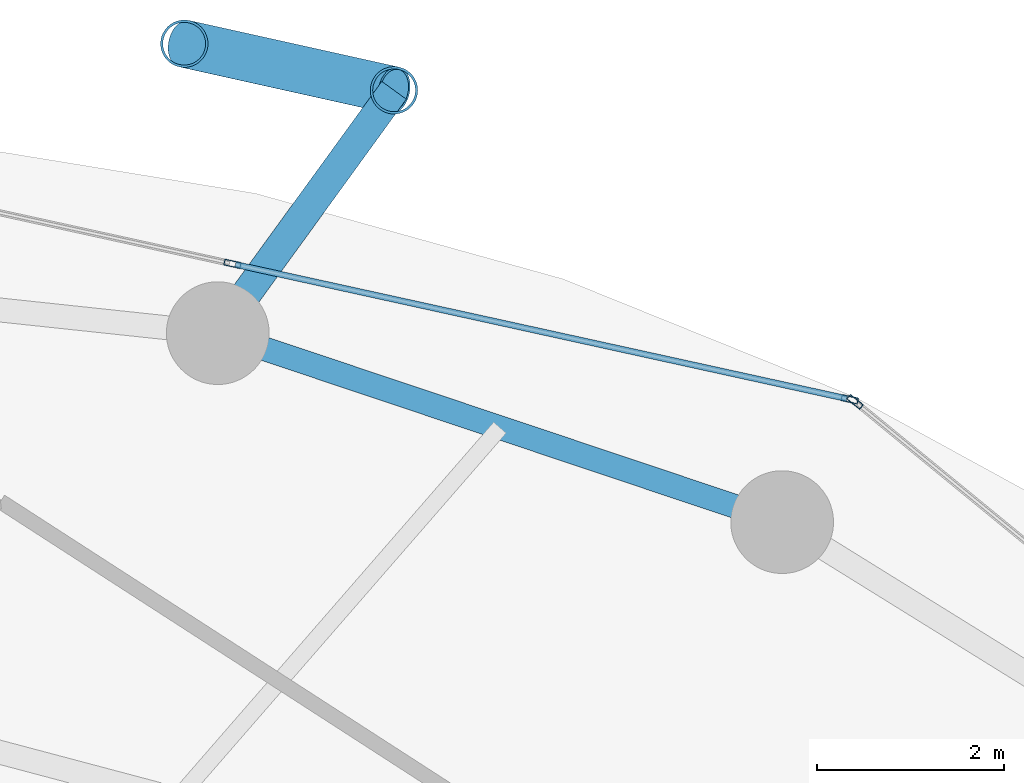
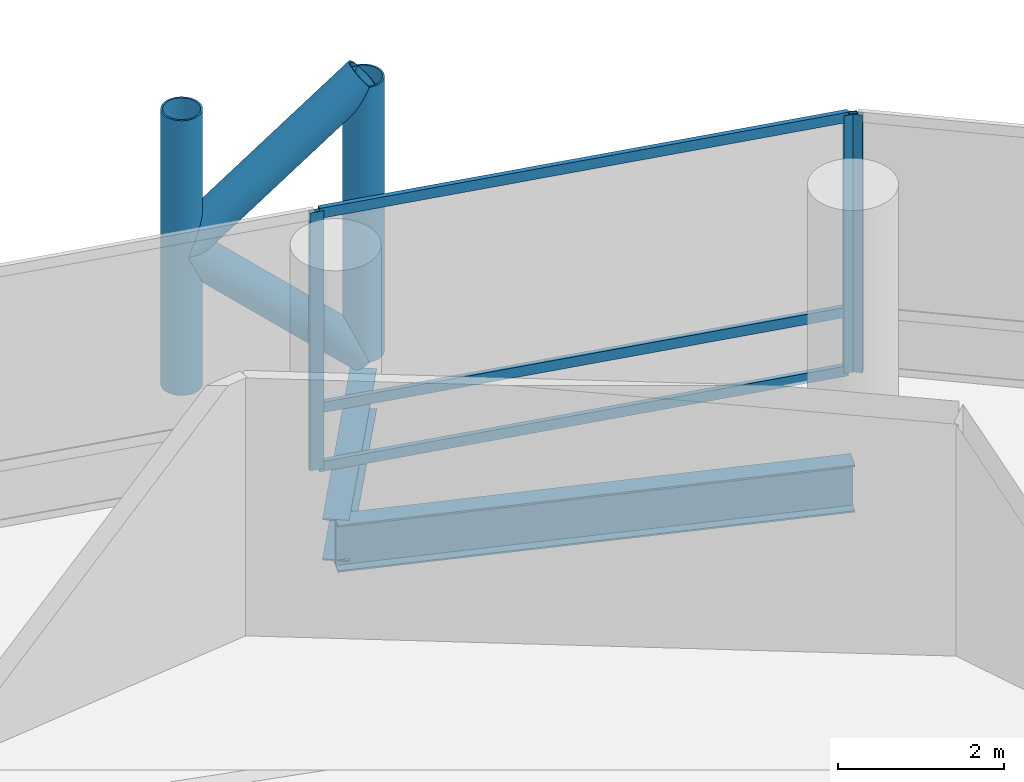
# One storey, part 18 of 24: 10 members, 2 beams, 2 elements without a shape of their own.
"""IFC4 building model written with IfcOpenShell, lengths in metres."""

from ifc_helpers import new_model, si_unit, direction, frame, origin, origin_2d, place, context, subcontext, project, spatial, hollow_rectangle, hollow_circle, i_section, extrude, material, layer, layer_set, material_profile, profile_set, type_object, element, aggregate, save


model = new_model("IFC4")

# Units and contexts
model_context = context("Model", 3, precision=1e-05, world=origin(), true_north=direction((0.0, 1.0)))
body_context = subcontext(model_context, "Body", "Model", "MODEL_VIEW")
ifc_project = project(units=[si_unit("LENGTHUNIT", "METRE"), si_unit("AREAUNIT", "SQUARE_METRE"), si_unit("VOLUMEUNIT", "CUBIC_METRE"), si_unit("PLANEANGLEUNIT", "RADIAN"), si_unit("MASSUNIT", "GRAM", prefix="KILO")], contexts=[model_context])

# Site, building, storey
site_placement = place(None, origin())
site = spatial("IfcSite", under=ifc_project, at=site_placement, CompositionType="ELEMENT")
building_placement = place(site_placement, origin())
building = spatial("IfcBuilding", under=site, at=building_placement, Name="Nuhasar Tower", CompositionType="ELEMENT")
storey_placement = place(building_placement, frame((0.0, 0.0, 81.75)))
storey = spatial("IfcBuildingStorey", under=building, at=storey_placement, Name="L19", CompositionType="ELEMENT", Elevation=81.75)

# Beams
ifc_material_1 = material(Name="Steel S355", Category="steel")
ifc_material_profile_1 = material_profile(ifc_material_1, i_section(OverallWidth=0.256103515625, OverallDepth=0.693115234375, WebThickness=0.014404296875, FlangeThickness=0.023681640625, at=origin_2d()), Name="W27X114")
ifc_profile_set_1 = profile_set([ifc_material_profile_1], Name="Steel S355")
beam_type_1 = type_object("IfcBeamType", Name="BM-RING-W27X114", PredefinedType="SPANDREL", material=ifc_profile_set_1)
beam_1_placement = place(storey_placement, frame((51.52490234375, 44.3369140625, -0.596923828125), z_axis=(-0.948249435708, 0.317526388949, 0.0), x_axis=(-0.317526388949, -0.948249435708, 0.0)))
element("IfcBeam", 1, at=beam_1_placement, inside=storey, type_object=beam_type_1, Name="L19 Perimeter Ring Spandrel 05", PredefinedType="SPANDREL", context=body_context, shape_type="SweptSolid", body=[
    extrude(i_section(OverallWidth=0.256103515625, OverallDepth=0.693115234375, WebThickness=0.014404296875, FlangeThickness=0.023681640625, at=origin_2d()), origin(), (0.0, 0.0, 1.0), 6.371826171875),
])
ifc_material_profile_2 = material_profile(ifc_material_1, i_section(OverallWidth=0.323974609375, OverallDepth=0.611083984375, WebThickness=0.0126953125, FlangeThickness=0.01904296875, at=origin_2d()), Name="W24X104")
ifc_profile_set_2 = profile_set([ifc_material_profile_2], Name="Steel S355")
beam_type_2 = type_object("IfcBeamType", Name="BM-TIE-W24X104", PredefinedType="BEAM", material=ifc_profile_set_2)
beam_2_placement = place(storey_placement, frame((45.48291015625, 46.360107421875, -0.554931640625), z_axis=(0.587439442414, 0.809268127073, 0.0), x_axis=(-0.809268127073, 0.587439442414, 0.0)))
element("IfcBeam", 2, at=beam_2_placement, inside=storey, type_object=beam_type_2, Name="L19 Exoskeleton Node Tie Beam 03", PredefinedType="BEAM", context=body_context, shape_type="SweptSolid", body=[
    extrude(i_section(OverallWidth=0.323974609375, OverallDepth=0.611083984375, WebThickness=0.0126953125, FlangeThickness=0.01904296875, at=origin_2d()), origin(), (0.0, 0.0, 1.0), 3.212646484375),
])

# Curtain wall, member
ifc_material_2 = material(Name="Aluminium 6063-T6", Category="aluminium")
ifc_layer = layer(ifc_material_2, 0.199951171875)
ifc_layer_set = layer_set([ifc_layer], Name="Aluminium 6063-T6")
curtain_wall_type = type_object("IfcCurtainWallType", Name="CW-Z1-OFF", PredefinedType="NOTDEFINED", material=ifc_layer_set)
curtain_wall_1_placement = place(storey_placement, origin())
curtain_wall_1 = element("IfcCurtainWall", 3, at=curtain_wall_1_placement, inside=storey, type_object=curtain_wall_type, Name="L19 Unitised Curtain Wall 02", PredefinedType="NOTDEFINED")
ifc_material_profile_3 = material_profile(ifc_material_2, hollow_rectangle(XDim=0.06494140625, YDim=0.179931640625, WallThickness=0.0048828125, at=origin_2d()), Name="CWM-2")
ifc_profile_set_3 = profile_set([ifc_material_profile_3], Name="Aluminium 6063-T6")
member_type_1 = type_object("IfcMemberType", Name="CW-MUL-S2", PredefinedType="MULLION", material=ifc_profile_set_3)
member_1_placement = place(storey_placement, frame((52.30517578125, 45.62451171875, 0.0), z_axis=(0.0, 0.0, 1.0), x_axis=(-0.633744593376, -0.773542364946, 0.0)))
member_1 = element("IfcMember", 4, at=member_1_placement, type_object=member_type_1, Name="CW-Z1 mullion 2", PredefinedType="MULLION", context=body_context, shape_type="SweptSolid", body=[
    extrude(hollow_rectangle(XDim=0.06494140625, YDim=0.179931640625, WallThickness=0.0048828125, at=origin_2d()), origin(), (0.0, 0.0, 1.0), 3.800048828125),
])
aggregate(curtain_wall_1, [member_1])

# Curtain wall, members
curtain_wall_2_placement = place(storey_placement, origin())
curtain_wall_2 = element("IfcCurtainWall", 5, at=curtain_wall_2_placement, inside=storey, type_object=curtain_wall_type, Name="L19 Unitised Curtain Wall 03", PredefinedType="NOTDEFINED")
member_2_placement = place(storey_placement, frame((52.248291015625, 45.65185546875, 0.0), z_axis=(0.0, 0.0, 1.0), x_axis=(-0.214398737637, -0.976746221544, 0.0)))
member_2 = element("IfcMember", 6, at=member_2_placement, type_object=member_type_1, Name="CW-Z1 mullion 1", PredefinedType="MULLION", context=body_context, shape_type="SweptSolid", body=[
    extrude(hollow_rectangle(XDim=0.06494140625, YDim=0.179931640625, WallThickness=0.0048828125, at=origin_2d()), origin(), (0.0, 0.0, 1.0), 3.800048828125),
])
member_3_placement = place(storey_placement, frame((45.639892578125, 47.1025390625, 0.0), z_axis=(0.0, 0.0, 1.0), x_axis=(-0.214398737637, -0.976746221544, 0.0)))
member_3 = element("IfcMember", 7, at=member_3_placement, type_object=member_type_1, Name="CW-Z1 mullion 2", PredefinedType="MULLION", context=body_context, shape_type="SweptSolid", body=[
    extrude(hollow_rectangle(XDim=0.06494140625, YDim=0.179931640625, WallThickness=0.0048828125, at=origin_2d()), origin(), (0.0, 0.0, 1.0), 3.800048828125),
])
ifc_material_profile_4 = material_profile(ifc_material_2, hollow_rectangle(XDim=0.06494140625, YDim=0.14990234375, WallThickness=0.00439453125, at=origin_2d()), Name="CWT-2")
ifc_profile_set_4 = profile_set([ifc_material_profile_4], Name="Aluminium 6063-T6")
member_type_2 = type_object("IfcMemberType", Name="CW-TRN-S2", PredefinedType="USERDEFINED", material=ifc_profile_set_4)
member_4_placement = place(storey_placement, frame((52.216552734375, 45.658935546875, 0.032470703125), z_axis=(-0.976749553792, 0.214383556196, 0.0), x_axis=(-0.214383556196, -0.976749553792, 0.0)))
member_4 = element("IfcMember", 8, at=member_4_placement, type_object=member_type_2, Name="CW-Z1 transom 1.1", ObjectType="TRANSOM", PredefinedType="USERDEFINED", context=body_context, shape_type="SweptSolid", body=[
    extrude(hollow_rectangle(XDim=0.06494140625, YDim=0.14990234375, WallThickness=0.00439453125, at=origin_2d()), origin(), (0.0, 0.0, 1.0), 6.70068359375),
])
member_5_placement = place(storey_placement, frame((52.216552734375, 45.658935546875, 0.89990234375), z_axis=(-0.976749553792, 0.214383556196, 0.0), x_axis=(-0.214383556196, -0.976749553792, 0.0)))
member_5 = element("IfcMember", 9, at=member_5_placement, type_object=member_type_2, Name="CW-Z1 transom 1.2", ObjectType="TRANSOM", PredefinedType="USERDEFINED", context=body_context, shape_type="SweptSolid", body=[
    extrude(hollow_rectangle(XDim=0.06494140625, YDim=0.14990234375, WallThickness=0.00439453125, at=origin_2d()), origin(), (0.0, 0.0, 1.0), 6.70068359375),
])
member_6_placement = place(storey_placement, frame((52.216552734375, 45.658935546875, 3.767578125), z_axis=(-0.976749553792, 0.214383556196, 0.0), x_axis=(-0.214383556196, -0.976749553792, 0.0)))
member_6 = element("IfcMember", 10, at=member_6_placement, type_object=member_type_2, Name="CW-Z1 transom 1.3", ObjectType="TRANSOM", PredefinedType="USERDEFINED", context=body_context, shape_type="SweptSolid", body=[
    extrude(hollow_rectangle(XDim=0.06494140625, YDim=0.14990234375, WallThickness=0.00439453125, at=origin_2d()), origin(), (0.0, 0.0, 1.0), 6.70068359375),
])
aggregate(curtain_wall_2, [member_2, member_3, member_4, member_5, member_6])

# Members
ifc_material_3 = material(Name="Steel S460", Category="steel")
ifc_material_profile_5 = material_profile(ifc_material_3, hollow_circle(Radius=0.25390625, WallThickness=0.025390625, at=origin_2d()), Name="HSS508X25.4")
ifc_profile_set_5 = profile_set([ifc_material_profile_5], Name="Steel S460")
member_type_3 = type_object("IfcMemberType", Name="EXO-BRONZE-508", PredefinedType="BRACE", material=ifc_profile_set_5)
for number, where, z_axis, x_axis, name in (
    (11, (47.3701171875, 48.9599609375, 0.0), (0.0, 0.0, 1.0), (1.0, 0.0, 0.0), "L19 Exoskeleton Chord Column EC-03A"),
    (12, (45.1240234375, 49.458984375, 0.0), (0.0, 0.0, 1.0), (1.0, 0.0, 0.0), "L19 Exoskeleton Chord Column EC-03B"),
):
    element("IfcMember", number, at=place(storey_placement, frame(where, z_axis=z_axis, x_axis=x_axis)), inside=storey, type_object=member_type_3, Name=name, PredefinedType="BRACE", context=body_context, shape_type="SweptSolid", body=[
        extrude(hollow_circle(Radius=0.25390625, WallThickness=0.025390625, at=origin_2d()), origin(), (0.0, 0.0, 1.0), 4.050048828125),
    ])
member_7_placement = place(storey_placement, frame((47.3701171875, 48.9599609375, 0.0), z_axis=(-0.732821471909, 0.162813813976, 0.660654487828), x_axis=(-0.216885517571, -0.97619704582, 0.0)))
element("IfcMember", 13, at=member_7_placement, inside=storey, type_object=member_type_3, Name="L19 Bronze Diagrid Brace W1-03", PredefinedType="BRACE", context=body_context, shape_type="SweptSolid", body=[
    extrude(hollow_circle(Radius=0.25390625, WallThickness=0.025390625, at=origin_2d()), origin(), (0.0, 0.0, 1.0), 3.06494140625),
])
member_8_placement = place(storey_placement, frame((45.1240234375, 49.458984375, 2.02490234375), z_axis=(0.732782908552, -0.162805246204, 0.660699372439), x_axis=(0.216885517571, 0.97619704582, 0.0)))
element("IfcMember", 14, at=member_8_placement, inside=storey, type_object=member_type_3, Name="L19 Bronze Diagrid Brace W2-03", PredefinedType="BRACE", context=body_context, shape_type="SweptSolid", body=[
    extrude(hollow_circle(Radius=0.25390625, WallThickness=0.025390625, at=origin_2d()), origin(), (0.0, 0.0, 1.0), 3.065185546875),
])

save(model, "model.ifc")
